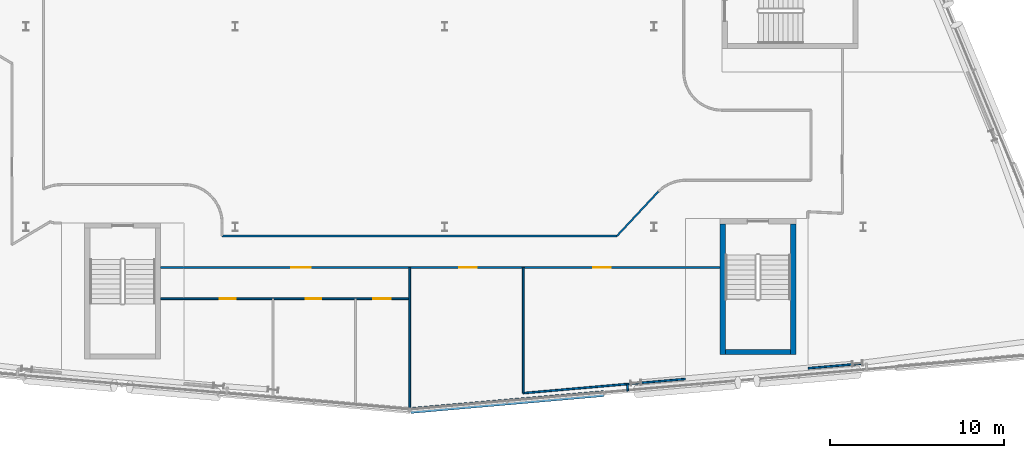
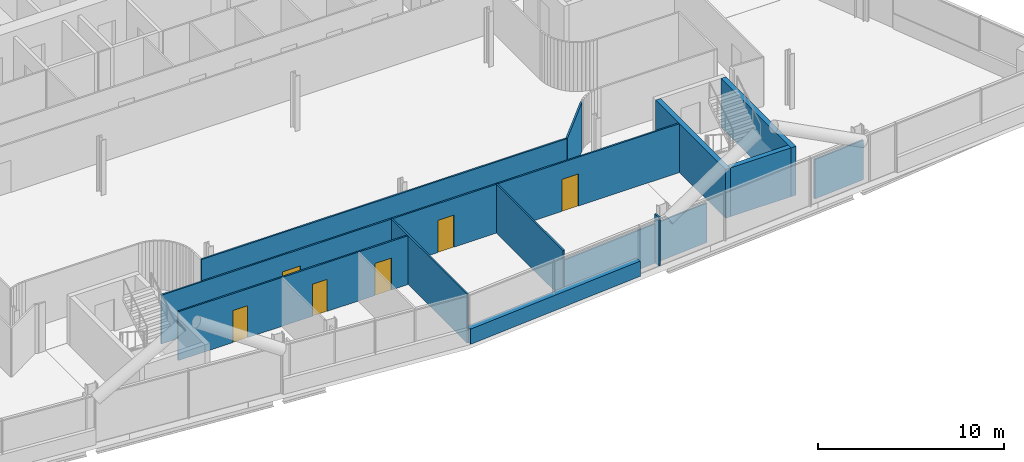
# One storey, part 16 of 29: 13 walls, 6 doors, 6 openings.
"""IFC4 building model written with IfcOpenShell, lengths in metres."""

from ifc_helpers import new_model, si_unit, direction, frame, frame_2d, origin, place, context, subcontext, project, spatial, rectangle, extrude, material, layer, layer_set, type_object, element, fill, save


model = new_model("IFC4")

# Units and contexts
model_context = context("Model", 3, precision=1e-05, world=origin(), true_north=direction((0.0, 1.0)))
body_context = subcontext(model_context, "Body", "Model", "MODEL_VIEW")
ifc_project = project(units=[si_unit("LENGTHUNIT", "METRE"), si_unit("AREAUNIT", "SQUARE_METRE"), si_unit("VOLUMEUNIT", "CUBIC_METRE"), si_unit("PLANEANGLEUNIT", "RADIAN"), si_unit("MASSUNIT", "GRAM", prefix="KILO")], contexts=[model_context])

# Site, building, storey
site_placement = place(None, origin())
site = spatial("IfcSite", under=ifc_project, at=site_placement, CompositionType="ELEMENT")
building_placement = place(site_placement, origin())
building = spatial("IfcBuilding", under=site, at=building_placement, Name="Wharfspan Tower", CompositionType="ELEMENT")
storey_placement = place(building_placement, frame((0.0, 0.0, 155.5)))
storey = spatial("IfcBuildingStorey", under=building, at=storey_placement, Name="L37", CompositionType="ELEMENT", Elevation=155.5)

# Wall, openings, doors
ifc_material_1 = material(Name="Gypsum board on steel studs", Category="steel")
ifc_layer_1 = layer(ifc_material_1, 0.100098)
ifc_layer_set_1 = layer_set([ifc_layer_1], Name="Gypsum board on steel studs")
wall_type_1 = type_object("IfcWallType", Name="Compartment wall 100 EI 60", PredefinedType="PARTITIONING", material=ifc_layer_set_1)
wall_1_placement = place(storey_placement, frame((31.714111, 9.179932, 0.0), z_axis=(0.0, 0.0, 1.0), x_axis=(1.0, 0.0, 0.0)))
wall_1 = element("IfcWall", 1, at=wall_1_placement, inside=storey, type_object=wall_type_1, Name="Partition L37.w029", PredefinedType="PARTITIONING", context=body_context, shape_type="SweptSolid", body=[
    extrude(rectangle(XDim=32.072266, YDim=0.100098, at=frame_2d((16.036133, 0.0))), origin(), (0.0, 0.0, 1.0), 3.199951),
])
opening_1_placement = place(wall_1_placement, frame((7.496582, 0.0, 0.0)))
opening_1 = element("IfcOpeningElement", 2, at=opening_1_placement, cuts=wall_1, Name="Opening C2-04", PredefinedType="OPENING", context=body_context, shape_type="SweptSolid", body=[
    extrude(rectangle(XDim=1.100098, YDim=2.100098, at=frame_2d((0.550049, 1.050049))), frame((0.0, 0.060059, 0.0), z_axis=(0.0, -1.0, 0.0), x_axis=(1.0, 0.0, 0.0)), (0.0, 0.0, 1.0), 0.120117),
])
opening_2_placement = place(wall_1_placement, frame((17.11084, 0.0, 0.0)))
opening_2 = element("IfcOpeningElement", 3, at=opening_2_placement, cuts=wall_1, Name="Opening C2-05", PredefinedType="OPENING", context=body_context, shape_type="SweptSolid", body=[
    extrude(rectangle(XDim=1.0, YDim=2.100098, at=frame_2d((0.5, 1.050049))), frame((0.0, 0.060059, 0.0), z_axis=(0.0, -1.0, 0.0), x_axis=(1.0, 0.0, 0.0)), (0.0, 0.0, 1.0), 0.120117),
])
opening_3_placement = place(wall_1_placement, frame((24.810791, 0.0, 0.0)))
opening_3 = element("IfcOpeningElement", 4, at=opening_3_placement, cuts=wall_1, Name="Opening C2-06", PredefinedType="OPENING", context=body_context, shape_type="SweptSolid", body=[
    extrude(rectangle(XDim=1.0, YDim=2.100098, at=frame_2d((0.5, 1.050049))), frame((0.0, 0.060059, 0.0), z_axis=(0.0, -1.0, 0.0), x_axis=(1.0, 0.0, 0.0)), (0.0, 0.0, 1.0), 0.120117),
])
ifc_material_2 = material(Name="Fire-rated timber door leaf in steel frame", Category="steel")
door_type_1 = type_object("IfcDoorType", Name="Door 1000 FD30S Right", OperationType="SINGLE_SWING_RIGHT", PredefinedType="DOOR", material=ifc_material_2)
door_1_placement = place(opening_2_placement, origin())
door_1 = element("IfcDoor", 5, at=door_1_placement, inside=storey, type_object=door_type_1, Name="Door C2-05", OperationType="SINGLE_SWING_RIGHT", OverallHeight=2.100098, OverallWidth=1.0, PredefinedType="DOOR", context=body_context, shape_type="SweptSolid", body=[
    extrude(rectangle(XDim=1.0, YDim=2.100098, at=frame_2d((0.5, 1.050049))), frame((0.0, 0.024902, 0.0), z_axis=(0.0, -1.0, 0.0), x_axis=(1.0, 0.0, 0.0)), (0.0, 0.0, 1.0), 0.050049),
])
fill(opening_2, door_1)
door_2_placement = place(opening_3_placement, origin())
door_2 = element("IfcDoor", 6, at=door_2_placement, inside=storey, type_object=door_type_1, Name="Door C2-06", OperationType="SINGLE_SWING_RIGHT", OverallHeight=2.100098, OverallWidth=1.0, PredefinedType="DOOR", context=body_context, shape_type="SweptSolid", body=[
    extrude(rectangle(XDim=1.0, YDim=2.100098, at=frame_2d((0.5, 1.050049))), frame((0.0, 0.024902, 0.0), z_axis=(0.0, -1.0, 0.0), x_axis=(1.0, 0.0, 0.0)), (0.0, 0.0, 1.0), 0.050049),
])
fill(opening_3, door_2)
door_type_2 = type_object("IfcDoorType", Name="Door 1100 FD30S Left", OperationType="SINGLE_SWING_LEFT", PredefinedType="DOOR", material=ifc_material_2)
door_3_placement = place(opening_1_placement, origin())
door_3 = element("IfcDoor", 7, at=door_3_placement, inside=storey, type_object=door_type_2, Name="Door C2-04", OperationType="SINGLE_SWING_LEFT", OverallHeight=2.100098, OverallWidth=1.100098, PredefinedType="DOOR", context=body_context, shape_type="SweptSolid", body=[
    extrude(rectangle(XDim=1.100098, YDim=2.100098, at=frame_2d((0.550049, 1.050049))), frame((0.0, 0.024902, 0.0), z_axis=(0.0, -1.0, 0.0), x_axis=(1.0, 0.0, 0.0)), (0.0, 0.0, 1.0), 0.050049),
])
fill(opening_1, door_3)

# Walls
wall_2_placement = place(storey_placement, frame((35.23999, 10.98999, 0.0), z_axis=(0.0, 0.0, 1.0), x_axis=(1.0, 0.0, 0.0)))
element("IfcWall", 8, at=wall_2_placement, inside=storey, type_object=wall_type_1, Name="Partition L37.w048", PredefinedType="PARTITIONING", context=body_context, shape_type="SweptSolid", body=[
    extrude(rectangle(XDim=22.63501, YDim=0.100098, at=frame_2d((11.317383, 0.0))), origin(), (0.0, 0.0, 1.0), 3.199951),
])
wall_3_placement = place(storey_placement, frame((46.0, 1.008057, 0.0), z_axis=(0.0, 0.0, 1.0), x_axis=(0.0, 1.0, 0.0)))
element("IfcWall", 9, at=wall_3_placement, inside=storey, type_object=wall_type_1, Name="Partition L37.w055", PredefinedType="PARTITIONING", context=body_context, shape_type="SweptSolid", body=[
    extrude(rectangle(XDim=8.171875, YDim=0.100098, at=frame_2d((4.085938, 0.0))), origin(), (0.0, 0.0, 1.0), 3.199951),
])
wall_4_placement = place(storey_placement, frame((52.5, 1.97998, 0.0), z_axis=(0.0, 0.0, 1.0), x_axis=(0.0, 1.0, 0.0)))
element("IfcWall", 10, at=wall_4_placement, inside=storey, type_object=wall_type_1, Name="Partition L37.w058", PredefinedType="PARTITIONING", context=body_context, shape_type="SweptSolid", body=[
    extrude(rectangle(XDim=7.205078, YDim=0.100098, at=frame_2d((3.602539, 0.0))), origin(), (0.0, 0.0, 1.0), 3.199951),
])
wall_5_placement = place(storey_placement, frame((57.875, 10.98999, 0.0), z_axis=(0.0, 0.0, 1.0), x_axis=(0.68229, 0.731075, 0.0)))
element("IfcWall", 11, at=wall_5_placement, inside=storey, type_object=wall_type_1, Name="Partition L37.w063", PredefinedType="PARTITIONING", context=body_context, shape_type="SweptSolid", body=[
    extrude(rectangle(XDim=3.488037, YDim=0.100098, at=frame_2d((1.744141, 0.0))), origin(), (0.0, 0.0, 1.0), 3.199951),
])

# Wall, openings, doors
ifc_layer_2 = layer(ifc_material_1, 0.100098)
ifc_layer_set_2 = layer_set([ifc_layer_2], Name="Gypsum board on steel studs")
wall_type_2 = type_object("IfcWallType", Name="Partition 100", PredefinedType="PARTITIONING", material=ifc_layer_set_2)
wall_6_placement = place(storey_placement, frame((31.714111, 7.38501, 0.0), z_axis=(0.0, 0.0, 1.0), x_axis=(1.0, 0.0, 0.0)))
wall_6 = element("IfcWall", 12, at=wall_6_placement, inside=storey, type_object=wall_type_2, Name="Partition L37.w028", PredefinedType="PARTITIONING", context=body_context, shape_type="SweptSolid", body=[
    extrude(rectangle(XDim=14.285889, YDim=0.100098, at=frame_2d((7.143066, 0.0))), origin(), (0.0, 0.0, 1.0), 3.199951),
])
opening_4_placement = place(wall_6_placement, frame((3.397705, 0.0, 0.0)))
opening_4 = element("IfcOpeningElement", 13, at=opening_4_placement, cuts=wall_6, Name="Opening C2-01", PredefinedType="OPENING", context=body_context, shape_type="SweptSolid", body=[
    extrude(rectangle(XDim=0.899902, YDim=2.100098, at=frame_2d((0.449951, 1.050049))), frame((0.0, 0.060059, 0.0), z_axis=(0.0, -1.0, 0.0), x_axis=(1.0, 0.0, 0.0)), (0.0, 0.0, 1.0), 0.120117),
])
opening_5_placement = place(wall_6_placement, frame((8.317627, 0.0, 0.0)))
opening_5 = element("IfcOpeningElement", 14, at=opening_5_placement, cuts=wall_6, Name="Opening C2-02", PredefinedType="OPENING", context=body_context, shape_type="SweptSolid", body=[
    extrude(rectangle(XDim=0.899902, YDim=2.100098, at=frame_2d((0.449951, 1.050049))), frame((0.0, 0.060059, 0.0), z_axis=(0.0, -1.0, 0.0), x_axis=(1.0, 0.0, 0.0)), (0.0, 0.0, 1.0), 0.120117),
])
opening_6_placement = place(wall_6_placement, frame((12.197754, 0.0, 0.0)))
opening_6 = element("IfcOpeningElement", 15, at=opening_6_placement, cuts=wall_6, Name="Opening C2-03", PredefinedType="OPENING", context=body_context, shape_type="SweptSolid", body=[
    extrude(rectangle(XDim=1.0, YDim=2.100098, at=frame_2d((0.5, 1.050049))), frame((0.0, 0.060059, 0.0), z_axis=(0.0, -1.0, 0.0), x_axis=(1.0, 0.0, 0.0)), (0.0, 0.0, 1.0), 0.120117),
])
ifc_material_3 = material(Name="Timber door leaf in steel frame", Category="steel")
door_type_3 = type_object("IfcDoorType", Name="Door 1000 NOT RATED Right", OperationType="SINGLE_SWING_RIGHT", PredefinedType="DOOR", material=ifc_material_3)
door_4_placement = place(opening_6_placement, origin())
door_4 = element("IfcDoor", 16, at=door_4_placement, inside=storey, type_object=door_type_3, Name="Door C2-03", OperationType="SINGLE_SWING_RIGHT", OverallHeight=2.100098, OverallWidth=1.0, PredefinedType="DOOR", context=body_context, shape_type="SweptSolid", body=[
    extrude(rectangle(XDim=1.0, YDim=2.100098, at=frame_2d((0.5, 1.050049))), frame((0.0, 0.024902, 0.0), z_axis=(0.0, -1.0, 0.0), x_axis=(1.0, 0.0, 0.0)), (0.0, 0.0, 1.0), 0.050049),
])
fill(opening_6, door_4)
door_type_4 = type_object("IfcDoorType", Name="Door 900 NOT RATED Left", OperationType="SINGLE_SWING_LEFT", PredefinedType="DOOR", material=ifc_material_3)
door_5_placement = place(opening_4_placement, origin())
door_5 = element("IfcDoor", 17, at=door_5_placement, inside=storey, type_object=door_type_4, Name="Door C2-01", OperationType="SINGLE_SWING_LEFT", OverallHeight=2.100098, OverallWidth=0.899902, PredefinedType="DOOR", context=body_context, shape_type="SweptSolid", body=[
    extrude(rectangle(XDim=0.899902, YDim=2.100098, at=frame_2d((0.449951, 1.050049))), frame((0.0, 0.024902, 0.0), z_axis=(0.0, -1.0, 0.0), x_axis=(1.0, 0.0, 0.0)), (0.0, 0.0, 1.0), 0.050049),
])
fill(opening_4, door_5)
door_type_5 = type_object("IfcDoorType", Name="Door 900 NOT RATED Right", OperationType="SINGLE_SWING_RIGHT", PredefinedType="DOOR", material=ifc_material_3)
door_6_placement = place(opening_5_placement, origin())
door_6 = element("IfcDoor", 18, at=door_6_placement, inside=storey, type_object=door_type_5, Name="Door C2-02", OperationType="SINGLE_SWING_RIGHT", OverallHeight=2.100098, OverallWidth=0.899902, PredefinedType="DOOR", context=body_context, shape_type="SweptSolid", body=[
    extrude(rectangle(XDim=0.899902, YDim=2.100098, at=frame_2d((0.449951, 1.050049))), frame((0.0, 0.024902, 0.0), z_axis=(0.0, -1.0, 0.0), x_axis=(1.0, 0.0, 0.0)), (0.0, 0.0, 1.0), 0.050049),
])
fill(opening_5, door_6)

# Walls
wall_7_placement = place(storey_placement, frame((52.5, 1.97998, 0.0), z_axis=(0.0, 0.0, 1.0), x_axis=(0.99622, 0.086844, 0.0)))
element("IfcWall", 19, at=wall_7_placement, inside=storey, type_object=wall_type_2, Name="Partition L37.w059", PredefinedType="PARTITIONING", context=body_context, shape_type="SweptSolid", body=[
    extrude(rectangle(XDim=9.327637, YDim=0.100098, at=frame_2d((4.663818, 0.0))), origin(), (0.0, 0.0, 1.0), 2.580078),
])
wall_8_placement = place(storey_placement, frame((58.498291, 2.101562, 0.0), z_axis=(0.0, 0.0, 1.0), x_axis=(-0.083045, 0.996542, 0.0)))
element("IfcWall", 20, at=wall_8_placement, inside=storey, type_object=wall_type_2, Name="Partition L37.w066", PredefinedType="PARTITIONING", context=body_context, shape_type="SweptSolid", body=[
    extrude(rectangle(XDim=0.399902, YDim=0.100098, at=frame_2d((0.199951, 0.0))), origin(), (0.0, 0.0, 1.0), 3.199951),
])
wall_9_placement = place(storey_placement, frame((68.831299, 3.406738, 0.0), z_axis=(0.0, 0.0, 1.0), x_axis=(0.996308, 0.085898, 0.0)))
element("IfcWall", 21, at=wall_9_placement, inside=storey, type_object=wall_type_2, Name="Partition L37.w098", PredefinedType="PARTITIONING", context=body_context, shape_type="SweptSolid", body=[
    extrude(rectangle(XDim=3.18042, YDim=0.100098, at=frame_2d((1.590332, 0.0))), origin(), (0.0, 0.0, 1.0), 2.580078),
])
ifc_material_4 = material(Name="Concrete C40/50", Category="concrete")
ifc_layer_3 = layer(ifc_material_4, 0.350098)
ifc_layer_set_3 = layer_set([ifc_layer_3], Name="Concrete C40/50")
wall_type_3 = type_object("IfcWallType", Name="SPANDREL EXPOSED CONCRETE 350", PredefinedType="SOLIDWALL", material=ifc_layer_set_3)
wall_10_placement = place(storey_placement, frame((46.04541, 0.986816, 0.0), z_axis=(0.0, 0.0, 1.0), x_axis=(0.996193, 0.087171, 0.0)))
element("IfcWall", 22, at=wall_10_placement, inside=storey, type_object=wall_type_3, Name="Spandrel upstand L37 S2 1", PredefinedType="SOLIDWALL", context=body_context, shape_type="SweptSolid", body=[
    extrude(rectangle(XDim=11.110352, YDim=0.350098, at=frame_2d((5.555176, 0.0))), origin(), (0.0, 0.0, 1.0), 1.0),
])
ifc_layer_4 = layer(ifc_material_4, 0.300049)
ifc_layer_set_4 = layer_set([ifc_layer_4], Name="Concrete C40/50")
wall_type_4 = type_object("IfcWallType", Name="Stair core wall 300", PredefinedType="SHEAR", material=ifc_layer_set_4)
for number, where, z_axis, x_axis, name in (
    (23, (63.936279, 4.183594, 0.0), (0.0, 0.0, 1.0), (0.0, 1.0, 0.0), "ST5 stair enclosure wall L37"),
    (24, (67.986328, 4.183594, 0.0), (0.0, 0.0, 1.0), (0.0, 1.0, 0.0), "ST5 stair enclosure wall L37"),
):
    element("IfcWall", number, at=place(storey_placement, frame(where, z_axis=z_axis, x_axis=x_axis)), inside=storey, type_object=wall_type_4, Name=name, PredefinedType="SHEAR", context=body_context, shape_type="SweptSolid", body=[
        extrude(rectangle(XDim=7.5, YDim=0.300049, at=frame_2d((3.75, 0.0))), origin(), (0.0, 0.0, 1.0), 3.199951),
    ])
wall_11_placement = place(storey_placement, frame((64.086426, 4.33374, 0.0), z_axis=(0.0, 0.0, 1.0), x_axis=(1.0, 0.0, 0.0)))
element("IfcWall", 25, at=wall_11_placement, inside=storey, type_object=wall_type_4, Name="ST5 stair enclosure wall L37", PredefinedType="SHEAR", context=body_context, shape_type="SweptSolid", body=[
    extrude(rectangle(XDim=3.75, YDim=0.300049, at=frame_2d((1.875, 0.0))), origin(), (0.0, 0.0, 1.0), 3.199951),
])

save(model, "model.ifc")
